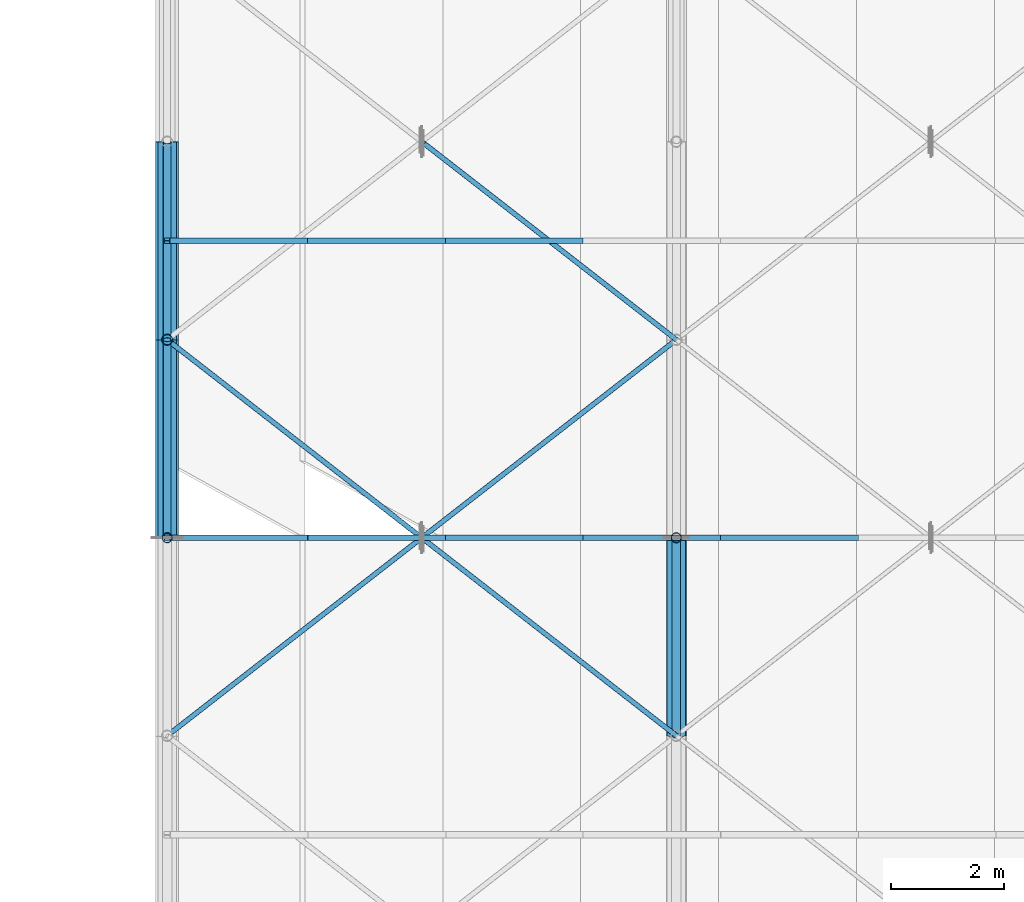
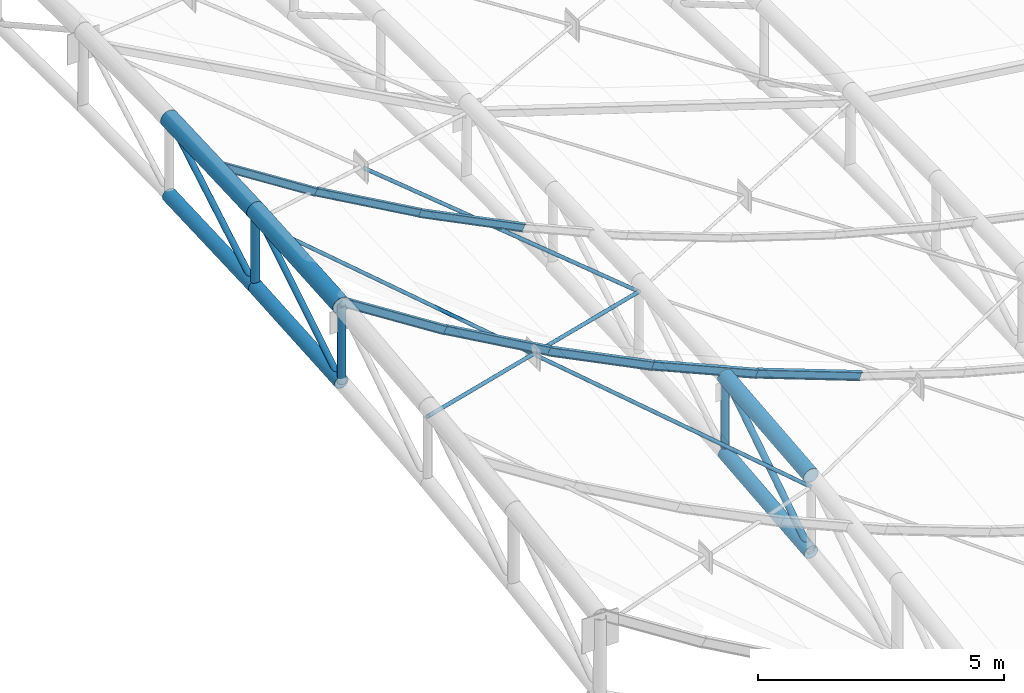
# One storey, part 18 of 262: 24 members.
"""IFC4 building model written with IfcOpenShell, lengths in metres."""

import ifcopenshell
import ifcopenshell.guid

model = None  # the IFC model being written
_history = None  # IfcOwnerHistory: only IFC2X3 demands one
_inside = {}  # id of a spatial element -> (the spatial element, [elements in it])
_under = {}  # id of a project, library or spatial element -> (it, [spatial elements below it])
_declared = {}  # id of a project -> (the project, [libraries it declares])
_typed = {}  # id of a type object -> (the type object, [elements of that type])
_made_of = {}  # id of a material, layer set ... -> (it, [elements and type objects made of it])


def new_model(schema):
    """Start an empty IFC model of exactly this schema.

    Asked for "IFC4X3", IfcOpenShell would pick the latest addendum, in which some entities
    have other attributes; the version numbers below select the first issue.
    IFC2X3 requires an IfcOwnerHistory on every rooted entity: one is made here for all.
    """
    global model, _history
    if schema == "IFC4X3":
        model = ifcopenshell.file(schema_version=(4, 3, 0, 0))
    else:
        model = ifcopenshell.file(schema=schema)
    _inside.clear()
    _under.clear()
    _declared.clear()
    _typed.clear()
    _made_of.clear()
    _history = None
    if model.schema == "IFC2X3":
        org = make("IfcOrganization", Name="unknown")
        user = make(
            "IfcPersonAndOrganization",
            ThePerson=make("IfcPerson", FamilyName="unknown"),
            TheOrganization=org,
        )
        app = make(
            "IfcApplication",
            ApplicationDeveloper=org,
            Version="unknown",
            ApplicationFullName="unknown",
            ApplicationIdentifier="unknown",
        )
        _history = make(
            "IfcOwnerHistory",
            OwningUser=user,
            OwningApplication=app,
            ChangeAction="ADDED",
            CreationDate=0,
        )
    return model


def make(cls, **values):
    """One entity of the class cls with the attributes given. An attribute that is None is left unset."""
    return model.create_entity(
        cls, **{name: value for name, value in values.items() if value is not None}
    )


def rooted(cls, **values):
    """An entity with a GlobalId (a new one), such as an element, a storey or a relation."""
    return make(cls, GlobalId=ifcopenshell.guid.new(), OwnerHistory=_history, **values)


def si_unit(unit_type, name, prefix=None):
    """IfcSIUnit, for example si_unit("LENGTHUNIT", "METRE", prefix="MILLI")."""
    return make("IfcSIUnit", UnitType=unit_type, Prefix=prefix, Name=name)


def derived_unit(unit_type, elements):
    """IfcDerivedUnit: a product of units, each with its exponent."""
    return make(
        "IfcDerivedUnit",
        Elements=[
            make("IfcDerivedUnitElement", Unit=unit, Exponent=power)
            for unit, power in elements
        ],
        UnitType=unit_type,
    )


def assignment(units):
    """IfcUnitAssignment: the units of a project."""
    return None if units is None else make("IfcUnitAssignment", Units=units)


def point(xyz):
    """IfcCartesianPoint."""
    return None if xyz is None else make("IfcCartesianPoint", Coordinates=xyz)


def direction(xyz):
    """IfcDirection."""
    return None if xyz is None else make("IfcDirection", DirectionRatios=xyz)


def frame(location, z_axis=None, x_axis=None):
    """IfcAxis2Placement3D, a coordinate frame: its origin and axes. An axis left out is left unset."""
    return make(
        "IfcAxis2Placement3D",
        Location=point(location),
        Axis=direction(z_axis),
        RefDirection=direction(x_axis),
    )


def frame_2d(location, x_axis=None):
    """IfcAxis2Placement2D, a coordinate frame in the plane: its origin and x axis."""
    return make(
        "IfcAxis2Placement2D", Location=point(location), RefDirection=direction(x_axis)
    )


def origin():
    """The frame at (0, 0, 0) with its axes left unset."""
    return frame((0.0, 0.0, 0.0))


def origin_2d():
    """The frame at (0, 0) in the plane with its x axis left unset."""
    return frame_2d((0.0, 0.0))


def place(relative_to, where):
    """IfcLocalPlacement: puts the frame where relative to a parent placement (None: the world)."""
    return make(
        "IfcLocalPlacement", PlacementRelTo=relative_to, RelativePlacement=where
    )


def context(
    kind, dimensions, precision=None, world=None, true_north=None, identifier=None
):
    """IfcGeometricRepresentationContext, for example the 3D "Model" context."""
    return make(
        "IfcGeometricRepresentationContext",
        ContextIdentifier=identifier,
        ContextType=kind,
        CoordinateSpaceDimension=dimensions,
        Precision=precision,
        WorldCoordinateSystem=world,
        TrueNorth=true_north,
    )


def subcontext(parent, identifier, kind, view, scale=None):
    """IfcGeometricRepresentationSubContext, for example "Body" below "Model"."""
    return make(
        "IfcGeometricRepresentationSubContext",
        ContextIdentifier=identifier,
        ContextType=kind,
        ParentContext=parent,
        TargetScale=scale,
        TargetView=view,
    )


def project(units=None, contexts=None):
    """IfcProject with its units and contexts."""
    return rooted(
        "IfcProject",
        Name="project",
        RepresentationContexts=contexts,
        UnitsInContext=assignment(units),
    )


def spatial(cls, under=None, at=None, **own):
    """A site, building, storey or space (cls), placed at a placement, below another one or the project."""
    s = rooted(cls, ObjectPlacement=at, **own)
    if under is not None:
        _under.setdefault(under.id(), (under, []))[1].append(s)
    return s


def profile(cls, at=None, kind="AREA", **sizes):
    """A parametric profile (cls). Its sizes go by their IFC names, for example OverallWidth=200.0."""
    return make(cls, ProfileType=kind, Position=at, **sizes)


def hollow_circle(**sizes):
    """IfcCircleHollowProfileDef."""
    return profile("IfcCircleHollowProfileDef", **sizes)


def i_section(**sizes):
    """IfcIShapeProfileDef."""
    return profile("IfcIShapeProfileDef", **sizes)


def extrude(swept, where, along, depth):
    """IfcExtrudedAreaSolid: the profile swept, set in the frame where, extruded along a direction by depth."""
    return make(
        "IfcExtrudedAreaSolid",
        SweptArea=swept,
        Position=where,
        ExtrudedDirection=direction(along),
        Depth=depth,
    )


def shape(context_of_items, identifier, shape_type, items):
    """IfcShapeRepresentation: the items that make up one representation, for example the "Body"."""
    return make(
        "IfcShapeRepresentation",
        ContextOfItems=context_of_items,
        RepresentationIdentifier=identifier,
        RepresentationType=shape_type,
        Items=items,
    )


def material(Name=None, Category=None):
    """IfcMaterial."""
    return make("IfcMaterial", Name=Name, Category=Category)


def material_profile(
    of_material, cross_section, Name=None, Category=None, Priority=None
):
    """IfcMaterialProfile: a cross section and its material."""
    return make(
        "IfcMaterialProfile",
        Name=Name,
        Material=of_material,
        Profile=cross_section,
        Priority=Priority,
        Category=Category,
    )


def profile_set(profiles, Name=None, composite=None):
    """IfcMaterialProfileSet."""
    return make(
        "IfcMaterialProfileSet",
        Name=Name,
        MaterialProfiles=profiles,
        CompositeProfile=composite,
    )


def made_of(thing, what):
    """Note that an element or type object is made of a material, layer set ...; save() writes the relation."""
    if what is not None:
        _made_of.setdefault(what.id(), (what, []))[1].append(thing)
    return thing


def type_object(cls, material=None, **own):
    """A type object (cls), such as IfcWallType, which elements share."""
    return made_of(rooted(cls, **own), material)


def element(
    cls,
    number,
    at=None,
    inside=None,
    cuts=None,
    type_object=None,
    material=None,
    context=None,
    identifier="Body",
    shape_type=None,
    held_by="IfcProductDefinitionShape",
    body=None,
    shapes=None,
    **own,
):
    """One element of the class cls, such as IfcWall. Its Tag is "e" and its number.

    at: its placement. inside: the storey or other place that contains it. cuts: it is an
    opening in that element (IfcRelVoidsElement). A single representation is given by context,
    identifier, shape_type and body (its items); several are given by shapes. held_by: the class
    of the entity that holds the representations. save() writes the other relations.
    """
    e = rooted(cls, Tag="e%d" % number, ObjectPlacement=at, **own)
    if body is not None:
        shapes = [shape(context, identifier, shape_type, body)]
    if shapes is not None:
        e.Representation = make(held_by, Representations=shapes)
    if inside is not None:
        _inside.setdefault(inside.id(), (inside, []))[1].append(e)
    if cuts is not None:
        rooted(
            "IfcRelVoidsElement", RelatingBuildingElement=cuts, RelatedOpeningElement=e
        )
    if type_object is not None:
        _typed.setdefault(type_object.id(), (type_object, []))[1].append(e)
    return made_of(e, material)


def aggregate(whole, parts):
    """IfcRelAggregates: a whole, such as a stair, and the parts it consists of."""
    return rooted("IfcRelAggregates", RelatingObject=whole, RelatedObjects=parts)


def save(model, path):
    """Write the relations noted so far, then the file.

    IfcRelAggregates (storeys below a building ...), IfcRelContainedInSpatialStructure (elements
    in a storey), IfcRelDefinesByType, IfcRelAssociatesMaterial and IfcRelDeclares: one each for
    every whole, place, type object, material and project.
    """
    for whole, parts in _under.values():
        aggregate(whole, parts)
    for where, things in _inside.values():
        rooted(
            "IfcRelContainedInSpatialStructure",
            RelatedElements=things,
            RelatingStructure=where,
        )
    for kind, things in _typed.values():
        rooted("IfcRelDefinesByType", RelatedObjects=things, RelatingType=kind)
    for what, things in _made_of.values():
        rooted("IfcRelAssociatesMaterial", RelatedObjects=things, RelatingMaterial=what)
    for by, libraries in _declared.values():
        rooted("IfcRelDeclares", RelatingContext=by, RelatedDefinitions=libraries)
    model.write(path)


model = new_model("IFC4")

# Units and contexts
model_context = context("Model", 3, precision=1e-05, world=origin(), true_north=direction((0.0, 1.0)))
body_context = subcontext(model_context, "Body", "Model", "MODEL_VIEW")
ifc_project = project(units=[si_unit("LENGTHUNIT", "METRE"), si_unit("AREAUNIT", "SQUARE_METRE"), si_unit("VOLUMEUNIT", "CUBIC_METRE"), si_unit("PLANEANGLEUNIT", "RADIAN"), si_unit("MASSUNIT", "GRAM", prefix="KILO"), derived_unit("THERMALTRANSMITTANCEUNIT", [(si_unit("POWERUNIT", "WATT"), 1), (si_unit("LENGTHUNIT", "METRE"), -2), (si_unit("THERMODYNAMICTEMPERATUREUNIT", "KELVIN"), -1)])], contexts=[model_context])

# Site, building, storey
site_placement = place(None, origin())
site = spatial("IfcSite", under=ifc_project, at=site_placement, CompositionType="ELEMENT")
building_placement = place(site_placement, origin())
building = spatial("IfcBuilding", under=site, at=building_placement, Name="Almenara Railside Exhibition Hall", CompositionType="ELEMENT")
storey_placement = place(building_placement, frame((0.0, 0.0, 21.699951171875)))
storey = spatial("IfcBuildingStorey", under=building, at=storey_placement, Name="RF", CompositionType="ELEMENT", Elevation=21.699951171875)

# Members
ifc_material = material(Name="Structural steel S355JR", Category="steel")
ifc_material_profile_1 = material_profile(ifc_material, hollow_circle(Radius=0.04443359375, WallThickness=0.00390625, at=origin_2d()), Name="CHS 88.9x4")
ifc_profile_set_1 = profile_set([ifc_material_profile_1], Name="Structural steel S355JR")
member_type_1 = type_object("IfcMemberType", Name="Canopy Tie Brace CHS 88.9x4 S355JR", PredefinedType="BRACE", material=ifc_profile_set_1)
member_1_placement = place(storey_placement, frame((3.0, 7.0, 1.6201171875), z_axis=(0.738593654912, 0.574461731598, -0.352807499711), x_axis=(-0.613940613515, 0.789352217376, 0.0)))
element("IfcMember", 1, at=member_1_placement, inside=storey, type_object=member_type_1, Name="MEM-WB-V4-WB-CHS89-00-02-C", PredefinedType="BRACE", context=body_context, shape_type="SweptSolid", body=[
    extrude(hollow_circle(Radius=0.04443359375, WallThickness=0.00390625, at=origin_2d()), origin(), (0.0, 0.0, 1.0), 12.185302734375),
])
for number, where, z_axis, x_axis, name in (
    (2, (3.0, 14.0, 2.219970703125), (0.710984360047, -0.552974878685, -0.434419179262), (0.613931650388, 0.789359188616, 0.0), "MEM-WB-V4-WB-CHS89-00-02-S1"),
    (3, (7.534423828125, 10.47314453125, -0.550537109375), (0.710984360047, -0.552974878685, -0.434419179262), (0.613931650388, 0.789359188616, 0.0), "MEM-WB-V4-WB-CHS89-00-02-S2"),
):
    element("IfcMember", number, at=place(storey_placement, frame(where, z_axis=z_axis, x_axis=x_axis)), inside=storey, type_object=member_type_1, Name=name, PredefinedType="BRACE", context=body_context, shape_type="SweptSolid", body=[
        extrude(hollow_circle(Radius=0.04443359375, WallThickness=0.00390625, at=origin_2d()), origin(), (0.0, 0.0, 1.0), 6.28076171875),
    ])
member_2_placement = place(storey_placement, frame((7.534912109375, 17.472900390625, -0.149169921875), z_axis=(0.720570539314, -0.56045250816, -0.408253700496), x_axis=(0.613946589454, 0.789347569387, 0.0)))
element("IfcMember", 4, at=member_2_placement, inside=storey, type_object=member_type_1, Name="MEM-WB-V4-WB-CHS89-00-04-S2", PredefinedType="BRACE", context=body_context, shape_type="SweptSolid", body=[
    extrude(hollow_circle(Radius=0.04443359375, WallThickness=0.00390625, at=origin_2d()), origin(), (0.0, 0.0, 1.0), 6.196533203125),
])
ifc_material_profile_2 = material_profile(ifc_material, hollow_circle(Radius=0.203125, WallThickness=0.012451171875, at=origin_2d()), Name="CHS 406.4x12.5")
ifc_profile_set_2 = profile_set([ifc_material_profile_2], Name="Structural steel S355JR")
member_type_2 = type_object("IfcMemberType", Name="Plenary Gable Top Chord CHS 406.4x12.5 S355JR", PredefinedType="CHORD", material=ifc_profile_set_2)
member_3_placement = place(storey_placement, frame((3.0, 10.5, 2.25), z_axis=(0.0, 0.997458699831, 0.071247049988), x_axis=(-1.0, 0.0, 0.0)))
element("IfcMember", 5, at=member_3_placement, inside=storey, type_object=member_type_2, Name="MEM-TC-V4-00-03", PredefinedType="CHORD", context=body_context, shape_type="SweptSolid", body=[
    extrude(hollow_circle(Radius=0.203125, WallThickness=0.012451171875, at=origin_2d()), origin(), (0.0, 0.0, 1.0), 3.509033203125),
])
member_4_placement = place(storey_placement, frame((3.0, 14.0, 2.5), z_axis=(0.0, 0.999081106193, 0.042859575914), x_axis=(-1.0, 0.0, 0.0)))
element("IfcMember", 6, at=member_4_placement, inside=storey, type_object=member_type_2, Name="MEM-TC-V4-00-04", PredefinedType="CHORD", context=body_context, shape_type="SweptSolid", body=[
    extrude(hollow_circle(Radius=0.203125, WallThickness=0.012451171875, at=origin_2d()), origin(), (0.0, 0.0, 1.0), 3.503173828125),
])
ifc_material_profile_3 = material_profile(ifc_material, i_section(OverallWidth=0.091064453125, OverallDepth=0.179931640625, WebThickness=0.00537109375, FlangeThickness=0.008056640625, FilletRadius=0.009033203125, at=origin_2d()), Name="IPE 180")
ifc_profile_set_3 = profile_set([ifc_material_profile_3], Name="Structural steel S355JR")
member_type_3 = type_object("IfcMemberType", Name="Plenary Roof Purlin IPE 180 S355JR", PredefinedType="PURLIN", material=ifc_profile_set_3)
member_5_placement = place(storey_placement, frame((3.0, 15.75, 2.58984375), z_axis=(0.842265270347, 0.0, -0.53906327492), x_axis=(0.0, 1.0, 0.0)))
element("IfcMember", 7, at=member_5_placement, inside=storey, type_object=member_type_3, Name="MEM-PR-V4-PR-IPE180-03-00", PredefinedType="PURLIN", context=body_context, shape_type="SweptSolid", body=[
    extrude(i_section(OverallWidth=0.091064453125, OverallDepth=0.179931640625, WebThickness=0.00537109375, FlangeThickness=0.008056640625, FilletRadius=0.009033203125, at=origin_2d()), origin(), (0.0, 0.0, 1.0), 2.89306640625),
])
member_6_placement = place(storey_placement, frame((5.436767578125, 15.75, 1.040771484375), z_axis=(0.870445855666, 0.0, -0.492264169277), x_axis=(0.0, 1.0, 0.0)))
element("IfcMember", 8, at=member_6_placement, inside=storey, type_object=member_type_3, Name="MEM-PR-V4-PR-IPE180-03-01", PredefinedType="PURLIN", context=body_context, shape_type="SweptSolid", body=[
    extrude(i_section(OverallWidth=0.091064453125, OverallDepth=0.179931640625, WebThickness=0.00537109375, FlangeThickness=0.008056640625, FilletRadius=0.009033203125, at=origin_2d()), origin(), (0.0, 0.0, 1.0), 2.799072265625),
])
member_7_placement = place(storey_placement, frame((7.873291015625, 15.75, -0.34521484375), z_axis=(0.895376074457, 0.0, -0.445310773831), x_axis=(0.0, 1.0, 0.0)))
element("IfcMember", 9, at=member_7_placement, inside=storey, type_object=member_type_3, Name="MEM-PR-V4-PR-IPE180-03-02", PredefinedType="PURLIN", context=body_context, shape_type="SweptSolid", body=[
    extrude(i_section(OverallWidth=0.091064453125, OverallDepth=0.179931640625, WebThickness=0.00537109375, FlangeThickness=0.008056640625, FilletRadius=0.009033203125, at=origin_2d()), origin(), (0.0, 0.0, 1.0), 2.721435546875),
])
ifc_material_profile_4 = material_profile(ifc_material, hollow_circle(Radius=0.161865234375, WallThickness=0.010009765625, at=origin_2d()), Name="CHS 323.9x10")
ifc_profile_set_4 = profile_set([ifc_material_profile_4], Name="Structural steel S355JR")
member_type_4 = type_object("IfcMemberType", Name="Plenary Truss Bottom Chord CHS 323.9x10 S355JR", PredefinedType="CHORD", material=ifc_profile_set_4)
member_8_placement = place(storey_placement, frame((3.0, 10.5, 0.35009765625), z_axis=(0.0, 0.997458699831, 0.071247049988), x_axis=(-1.0, 0.0, 0.0)))
element("IfcMember", 10, at=member_8_placement, inside=storey, type_object=member_type_4, Name="MEM-BC-V4-00-03", PredefinedType="CHORD", context=body_context, shape_type="SweptSolid", body=[
    extrude(hollow_circle(Radius=0.161865234375, WallThickness=0.010009765625, at=origin_2d()), origin(), (0.0, 0.0, 1.0), 3.509033203125),
])
member_9_placement = place(storey_placement, frame((3.0, 14.0, 0.60009765625), z_axis=(0.0, 0.999084087935, 0.042790013253), x_axis=(-1.0, 0.0, 0.0)))
element("IfcMember", 11, at=member_9_placement, inside=storey, type_object=member_type_4, Name="MEM-BC-V4-00-04", PredefinedType="CHORD", context=body_context, shape_type="SweptSolid", body=[
    extrude(hollow_circle(Radius=0.161865234375, WallThickness=0.010009765625, at=origin_2d()), origin(), (0.0, 0.0, 1.0), 3.503173828125),
])
member_10_placement = place(storey_placement, frame((12.0, 7.0, -4.899169921875), z_axis=(0.0, 0.995034440995, 0.099531207337), x_axis=(-1.0, 0.0, 0.0)))
element("IfcMember", 12, at=member_10_placement, inside=storey, type_object=member_type_4, Name="MEM-BC-V4-01-02", PredefinedType="CHORD", context=body_context, shape_type="SweptSolid", body=[
    extrude(hollow_circle(Radius=0.161865234375, WallThickness=0.010009765625, at=origin_2d()), origin(), (0.0, 0.0, 1.0), 3.517578125),
])
ifc_material_profile_5 = material_profile(ifc_material, hollow_circle(Radius=0.177734375, WallThickness=0.012451171875, at=origin_2d()), Name="CHS 355.6x12.5")
ifc_profile_set_5 = profile_set([ifc_material_profile_5], Name="Structural steel S355JR")
member_type_5 = type_object("IfcMemberType", Name="Plenary Truss Top Chord CHS 355.6x12.5 S355JR", PredefinedType="CHORD", material=ifc_profile_set_5)
member_11_placement = place(storey_placement, frame((12.0, 7.0, -2.9990234375), z_axis=(0.0, 0.995041312637, 0.09946248612), x_axis=(-1.0, 0.0, 0.0)))
element("IfcMember", 13, at=member_11_placement, inside=storey, type_object=member_type_5, Name="MEM-TC-V4-01-02", PredefinedType="CHORD", context=body_context, shape_type="SweptSolid", body=[
    extrude(hollow_circle(Radius=0.177734375, WallThickness=0.012451171875, at=origin_2d()), origin(), (0.0, 0.0, 1.0), 3.517333984375),
])
ifc_material_profile_6 = material_profile(ifc_material, i_section(OverallWidth=0.10009765625, OverallDepth=0.199951171875, WebThickness=0.005615234375, FlangeThickness=0.008544921875, FilletRadius=0.011962890625, at=origin_2d()), Name="IPE 200")
ifc_profile_set_6 = profile_set([ifc_material_profile_6], Name="Structural steel S355JR")
member_type_6 = type_object("IfcMemberType", Name="Standard Hall Roof Purlin IPE 200 S355JR", PredefinedType="PURLIN", material=ifc_profile_set_6)
member_12_placement = place(storey_placement, frame((3.0, 10.5, 2.350830078125), z_axis=(0.842265270347, 0.0, -0.53906327492), x_axis=(0.0, 1.0, 0.0)))
element("IfcMember", 14, at=member_12_placement, inside=storey, type_object=member_type_6, Name="MEM-PR-V4-PR-IPE200-02-00", PredefinedType="PURLIN", context=body_context, shape_type="SweptSolid", body=[
    extrude(i_section(OverallWidth=0.10009765625, OverallDepth=0.199951171875, WebThickness=0.005615234375, FlangeThickness=0.008544921875, FilletRadius=0.011962890625, at=origin_2d()), origin(), (0.0, 0.0, 1.0), 2.89306640625),
])
member_13_placement = place(storey_placement, frame((5.436767578125, 10.5, 0.802001953125), z_axis=(0.870445855666, 0.0, -0.492264169277), x_axis=(0.0, 1.0, 0.0)))
element("IfcMember", 15, at=member_13_placement, inside=storey, type_object=member_type_6, Name="MEM-PR-V4-PR-IPE200-02-01", PredefinedType="PURLIN", context=body_context, shape_type="SweptSolid", body=[
    extrude(i_section(OverallWidth=0.10009765625, OverallDepth=0.199951171875, WebThickness=0.005615234375, FlangeThickness=0.008544921875, FilletRadius=0.011962890625, at=origin_2d()), origin(), (0.0, 0.0, 1.0), 2.799072265625),
])
member_14_placement = place(storey_placement, frame((7.873291015625, 10.5, -0.583740234375), z_axis=(0.895376074457, 0.0, -0.445310773831), x_axis=(0.0, 1.0, 0.0)))
element("IfcMember", 16, at=member_14_placement, inside=storey, type_object=member_type_6, Name="MEM-PR-V4-PR-IPE200-02-02", PredefinedType="PURLIN", context=body_context, shape_type="SweptSolid", body=[
    extrude(i_section(OverallWidth=0.10009765625, OverallDepth=0.199951171875, WebThickness=0.005615234375, FlangeThickness=0.008544921875, FilletRadius=0.011962890625, at=origin_2d()), origin(), (0.0, 0.0, 1.0), 2.721435546875),
])
member_15_placement = place(storey_placement, frame((10.31005859375, 10.5, -1.787841796875), z_axis=(0.917223393452, 0.0, -0.398373250237), x_axis=(0.0, 1.0, 0.0)))
element("IfcMember", 17, at=member_15_placement, inside=storey, type_object=member_type_6, Name="MEM-PR-V4-PR-IPE200-02-03", PredefinedType="PURLIN", context=body_context, shape_type="SweptSolid", body=[
    extrude(i_section(OverallWidth=0.10009765625, OverallDepth=0.199951171875, WebThickness=0.005615234375, FlangeThickness=0.008544921875, FilletRadius=0.011962890625, at=origin_2d()), origin(), (0.0, 0.0, 1.0), 2.65673828125),
])
member_16_placement = place(storey_placement, frame((12.746826171875, 10.5, -2.839599609375), z_axis=(0.936171044044, 0.0, -0.351544842508), x_axis=(0.0, 1.0, 0.0)))
element("IfcMember", 18, at=member_16_placement, inside=storey, type_object=member_type_6, Name="MEM-PR-V4-PR-IPE200-02-04", PredefinedType="PURLIN", context=body_context, shape_type="SweptSolid", body=[
    extrude(i_section(OverallWidth=0.10009765625, OverallDepth=0.199951171875, WebThickness=0.005615234375, FlangeThickness=0.008544921875, FilletRadius=0.011962890625, at=origin_2d()), origin(), (0.0, 0.0, 1.0), 2.60302734375),
])
ifc_material_profile_7 = material_profile(ifc_material, hollow_circle(Radius=0.06982421875, WallThickness=0.0048828125, at=origin_2d()), Name="CHS 139.7x5")
ifc_profile_set_7 = profile_set([ifc_material_profile_7], Name="Structural steel S355JR")
member_type_7 = type_object("IfcMemberType", Name="Truss Inner Diagonal CHS 139.7x5 S355JR", PredefinedType="BRACE", material=ifc_profile_set_7)
member_17_placement = place(storey_placement, frame((3.0, 10.5, 0.35009765625), z_axis=(0.0, 0.852086589476, 0.523400844512), x_axis=(-1.0, 0.0, 0.0)))
element("IfcMember", 19, at=member_17_placement, inside=storey, type_object=member_type_7, Name="MEM-TD-V4-00-03", PredefinedType="BRACE", context=body_context, shape_type="SweptSolid", body=[
    extrude(hollow_circle(Radius=0.06982421875, WallThickness=0.0048828125, at=origin_2d()), origin(), (0.0, 0.0, 1.0), 4.107666015625),
])
member_18_placement = place(storey_placement, frame((3.0, 14.0, 0.60009765625), z_axis=(0.0, 0.862878111278, 0.505412074526), x_axis=(-1.0, 0.0, 0.0)))
element("IfcMember", 20, at=member_18_placement, inside=storey, type_object=member_type_7, Name="MEM-TD-V4-00-04", PredefinedType="BRACE", context=body_context, shape_type="SweptSolid", body=[
    extrude(hollow_circle(Radius=0.06982421875, WallThickness=0.0048828125, at=origin_2d()), origin(), (0.0, 0.0, 1.0), 4.05615234375),
])
ifc_material_profile_8 = material_profile(ifc_material, hollow_circle(Radius=0.076171875, WallThickness=0.0048828125, at=origin_2d()), Name="CHS 152.4x5")
ifc_profile_set_8 = profile_set([ifc_material_profile_8], Name="Structural steel S355JR")
member_type_8 = type_object("IfcMemberType", Name="Truss Mid Diagonal CHS 152.4x5 S355JR", PredefinedType="BRACE", material=ifc_profile_set_8)
member_19_placement = place(storey_placement, frame((12.0, 7.0, -4.899169921875), z_axis=(0.0, 0.841178475377, 0.540757591313), x_axis=(-1.0, 0.0, 0.0)))
element("IfcMember", 21, at=member_19_placement, inside=storey, type_object=member_type_8, Name="MEM-TD-V4-01-02", PredefinedType="BRACE", context=body_context, shape_type="SweptSolid", body=[
    extrude(hollow_circle(Radius=0.076171875, WallThickness=0.0048828125, at=origin_2d()), origin(), (0.0, 0.0, 1.0), 4.160888671875),
])
ifc_material_profile_9 = material_profile(ifc_material, hollow_circle(Radius=0.0888671875, WallThickness=0.006103515625, at=origin_2d()), Name="CHS 177.8x6")
ifc_profile_set_9 = profile_set([ifc_material_profile_9], Name="Structural steel S355JR")
member_type_9 = type_object("IfcMemberType", Name="Truss Quarter Vertical Strut CHS 177.8x6 S355JR", PredefinedType="BRACE", material=ifc_profile_set_9)
for number, where, z_axis, x_axis, name in (
    (22, (3.0, 10.5, 0.35009765625), (0.0, 0.0, 1.0), (1.0, 0.0, 0.0), "MEM-TV-V4-00-03"),
    (23, (12.0, 10.5, -4.549072265625), (0.0, 0.0, 1.0), (1.0, 0.0, 0.0), "MEM-TV-V4-01-03"),
):
    element("IfcMember", number, at=place(storey_placement, frame(where, z_axis=z_axis, x_axis=x_axis)), inside=storey, type_object=member_type_9, Name=name, PredefinedType="BRACE", context=body_context, shape_type="SweptSolid", body=[
        extrude(hollow_circle(Radius=0.0888671875, WallThickness=0.006103515625, at=origin_2d()), origin(), (0.0, 0.0, 1.0), 1.89990234375),
    ])
ifc_material_profile_10 = material_profile(ifc_material, hollow_circle(Radius=0.096923828125, WallThickness=0.00634765625, at=origin_2d()), Name="CHS 193.7x6.3")
ifc_profile_set_10 = profile_set([ifc_material_profile_10], Name="Structural steel S355JR")
member_type_10 = type_object("IfcMemberType", Name="Truss Standard Vertical Strut CHS 193.7x6.3 S355JR", PredefinedType="BRACE", material=ifc_profile_set_10)
member_20_placement = place(storey_placement, frame((3.0, 14.0, 0.60009765625), z_axis=(0.0, 0.0, 1.0), x_axis=(1.0, 0.0, 0.0)))
element("IfcMember", 24, at=member_20_placement, inside=storey, type_object=member_type_10, Name="MEM-TV-V4-00-04", PredefinedType="BRACE", context=body_context, shape_type="SweptSolid", body=[
    extrude(hollow_circle(Radius=0.096923828125, WallThickness=0.00634765625, at=origin_2d()), origin(), (0.0, 0.0, 1.0), 1.89990234375),
])

save(model, "model.ifc")
